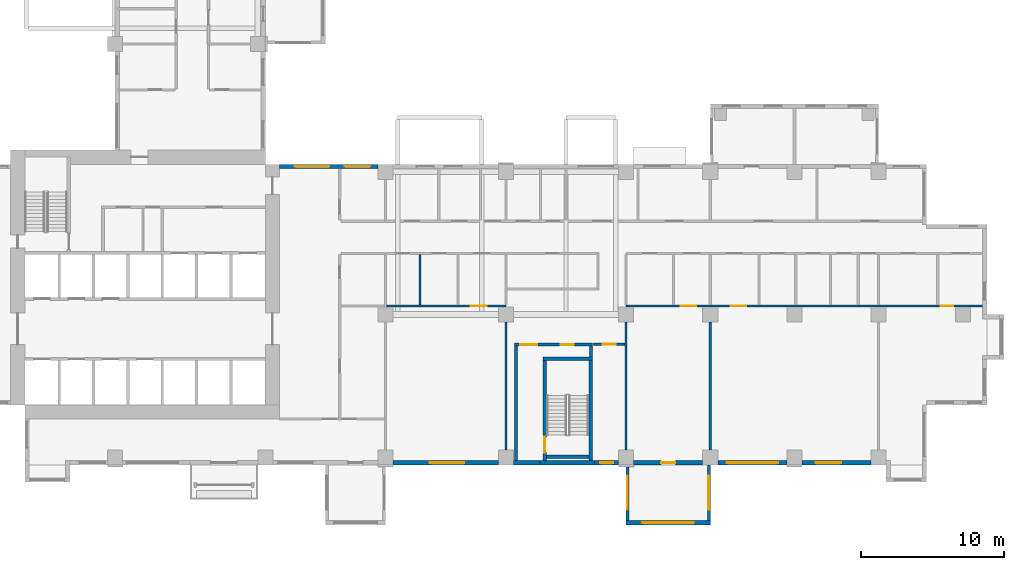
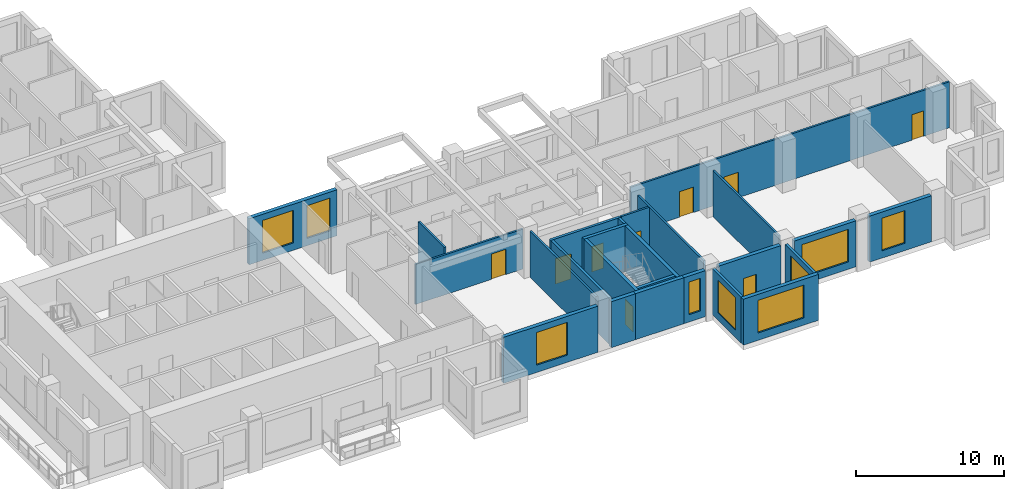
# One storey, part 4 of 14: 25 walls, 9 doors, 9 windows, 18 openings.
"""IFC4 building model written with IfcOpenShell, lengths in metres."""

import ifcopenshell
import ifcopenshell.guid

model = None  # the IFC model being written
_history = None  # IfcOwnerHistory: only IFC2X3 demands one
_inside = {}  # id of a spatial element -> (the spatial element, [elements in it])
_under = {}  # id of a project, library or spatial element -> (it, [spatial elements below it])
_declared = {}  # id of a project -> (the project, [libraries it declares])
_typed = {}  # id of a type object -> (the type object, [elements of that type])
_made_of = {}  # id of a material, layer set ... -> (it, [elements and type objects made of it])


def new_model(schema):
    """Start an empty IFC model of exactly this schema.

    Asked for "IFC4X3", IfcOpenShell would pick the latest addendum, in which some entities
    have other attributes; the version numbers below select the first issue.
    IFC2X3 requires an IfcOwnerHistory on every rooted entity: one is made here for all.
    """
    global model, _history
    if schema == "IFC4X3":
        model = ifcopenshell.file(schema_version=(4, 3, 0, 0))
    else:
        model = ifcopenshell.file(schema=schema)
    _inside.clear()
    _under.clear()
    _declared.clear()
    _typed.clear()
    _made_of.clear()
    _history = None
    if model.schema == "IFC2X3":
        org = make("IfcOrganization", Name="unknown")
        user = make(
            "IfcPersonAndOrganization",
            ThePerson=make("IfcPerson", FamilyName="unknown"),
            TheOrganization=org,
        )
        app = make(
            "IfcApplication",
            ApplicationDeveloper=org,
            Version="unknown",
            ApplicationFullName="unknown",
            ApplicationIdentifier="unknown",
        )
        _history = make(
            "IfcOwnerHistory",
            OwningUser=user,
            OwningApplication=app,
            ChangeAction="ADDED",
            CreationDate=0,
        )
    return model


def make(cls, **values):
    """One entity of the class cls with the attributes given. An attribute that is None is left unset."""
    return model.create_entity(
        cls, **{name: value for name, value in values.items() if value is not None}
    )


def rooted(cls, **values):
    """An entity with a GlobalId (a new one), such as an element, a storey or a relation."""
    return make(cls, GlobalId=ifcopenshell.guid.new(), OwnerHistory=_history, **values)


def si_unit(unit_type, name, prefix=None):
    """IfcSIUnit, for example si_unit("LENGTHUNIT", "METRE", prefix="MILLI")."""
    return make("IfcSIUnit", UnitType=unit_type, Prefix=prefix, Name=name)


def assignment(units):
    """IfcUnitAssignment: the units of a project."""
    return None if units is None else make("IfcUnitAssignment", Units=units)


def point(xyz):
    """IfcCartesianPoint."""
    return None if xyz is None else make("IfcCartesianPoint", Coordinates=xyz)


def direction(xyz):
    """IfcDirection."""
    return None if xyz is None else make("IfcDirection", DirectionRatios=xyz)


def frame(location, z_axis=None, x_axis=None):
    """IfcAxis2Placement3D, a coordinate frame: its origin and axes. An axis left out is left unset."""
    return make(
        "IfcAxis2Placement3D",
        Location=point(location),
        Axis=direction(z_axis),
        RefDirection=direction(x_axis),
    )


def frame_2d(location, x_axis=None):
    """IfcAxis2Placement2D, a coordinate frame in the plane: its origin and x axis."""
    return make(
        "IfcAxis2Placement2D", Location=point(location), RefDirection=direction(x_axis)
    )


def origin():
    """The frame at (0, 0, 0) with its axes left unset."""
    return frame((0.0, 0.0, 0.0))


def place(relative_to, where):
    """IfcLocalPlacement: puts the frame where relative to a parent placement (None: the world)."""
    return make(
        "IfcLocalPlacement", PlacementRelTo=relative_to, RelativePlacement=where
    )


def context(
    kind, dimensions, precision=None, world=None, true_north=None, identifier=None
):
    """IfcGeometricRepresentationContext, for example the 3D "Model" context."""
    return make(
        "IfcGeometricRepresentationContext",
        ContextIdentifier=identifier,
        ContextType=kind,
        CoordinateSpaceDimension=dimensions,
        Precision=precision,
        WorldCoordinateSystem=world,
        TrueNorth=true_north,
    )


def subcontext(parent, identifier, kind, view, scale=None):
    """IfcGeometricRepresentationSubContext, for example "Body" below "Model"."""
    return make(
        "IfcGeometricRepresentationSubContext",
        ContextIdentifier=identifier,
        ContextType=kind,
        ParentContext=parent,
        TargetScale=scale,
        TargetView=view,
    )


def project(units=None, contexts=None):
    """IfcProject with its units and contexts."""
    return rooted(
        "IfcProject",
        Name="project",
        RepresentationContexts=contexts,
        UnitsInContext=assignment(units),
    )


def spatial(cls, under=None, at=None, **own):
    """A site, building, storey or space (cls), placed at a placement, below another one or the project."""
    s = rooted(cls, ObjectPlacement=at, **own)
    if under is not None:
        _under.setdefault(under.id(), (under, []))[1].append(s)
    return s


def profile(cls, at=None, kind="AREA", **sizes):
    """A parametric profile (cls). Its sizes go by their IFC names, for example OverallWidth=200.0."""
    return make(cls, ProfileType=kind, Position=at, **sizes)


def rectangle(**sizes):
    """IfcRectangleProfileDef."""
    return profile("IfcRectangleProfileDef", **sizes)


def extrude(swept, where, along, depth):
    """IfcExtrudedAreaSolid: the profile swept, set in the frame where, extruded along a direction by depth."""
    return make(
        "IfcExtrudedAreaSolid",
        SweptArea=swept,
        Position=where,
        ExtrudedDirection=direction(along),
        Depth=depth,
    )


def shape(context_of_items, identifier, shape_type, items):
    """IfcShapeRepresentation: the items that make up one representation, for example the "Body"."""
    return make(
        "IfcShapeRepresentation",
        ContextOfItems=context_of_items,
        RepresentationIdentifier=identifier,
        RepresentationType=shape_type,
        Items=items,
    )


def source(mapping_origin, context_of_items, identifier, shape_type, items):
    """IfcRepresentationMap: a shape defined once, which mapped items show again and again."""
    return make(
        "IfcRepresentationMap",
        MappingOrigin=mapping_origin,
        MappedRepresentation=shape(context_of_items, identifier, shape_type, items),
    )


def transform(
    local_origin,
    x_axis=None,
    y_axis=None,
    z_axis=None,
    scale=None,
    scale2=None,
    scale3=None,
    uniform=True,
):
    """IfcCartesianTransformationOperator3D, or its non-uniform kind. x_axis, y_axis, z_axis: its Axis1, 2, 3."""
    if uniform:
        return make(
            "IfcCartesianTransformationOperator3D",
            Axis1=direction(x_axis),
            Axis2=direction(y_axis),
            LocalOrigin=point(local_origin),
            Scale=scale,
            Axis3=direction(z_axis),
        )
    return make(
        "IfcCartesianTransformationOperator3DnonUniform",
        Axis1=direction(x_axis),
        Axis2=direction(y_axis),
        LocalOrigin=point(local_origin),
        Scale=scale,
        Axis3=direction(z_axis),
        Scale2=scale2,
        Scale3=scale3,
    )


def mapped(mapping_source, mapping_target):
    """IfcMappedItem: shows the shape of a source again, moved by a transform."""
    return make(
        "IfcMappedItem", MappingSource=mapping_source, MappingTarget=mapping_target
    )


def material(Name=None, Category=None):
    """IfcMaterial."""
    return make("IfcMaterial", Name=Name, Category=Category)


def layer(
    of_material, thickness, ventilated=None, Name=None, Category=None, Priority=None
):
    """IfcMaterialLayer: one layer of a wall or slab, of a material (None: an air gap)."""
    return make(
        "IfcMaterialLayer",
        Material=of_material,
        LayerThickness=thickness,
        IsVentilated=ventilated,
        Name=Name,
        Category=Category,
        Priority=Priority,
    )


def layer_set(layers, Name=None):
    """IfcMaterialLayerSet."""
    return make("IfcMaterialLayerSet", MaterialLayers=layers, LayerSetName=Name)


def made_of(thing, what):
    """Note that an element or type object is made of a material, layer set ...; save() writes the relation."""
    if what is not None:
        _made_of.setdefault(what.id(), (what, []))[1].append(thing)
    return thing


def type_object(cls, material=None, **own):
    """A type object (cls), such as IfcWallType, which elements share."""
    return made_of(rooted(cls, **own), material)


def element(
    cls,
    number,
    at=None,
    inside=None,
    cuts=None,
    type_object=None,
    material=None,
    context=None,
    identifier="Body",
    shape_type=None,
    held_by="IfcProductDefinitionShape",
    body=None,
    shapes=None,
    **own,
):
    """One element of the class cls, such as IfcWall. Its Tag is "e" and its number.

    at: its placement. inside: the storey or other place that contains it. cuts: it is an
    opening in that element (IfcRelVoidsElement). A single representation is given by context,
    identifier, shape_type and body (its items); several are given by shapes. held_by: the class
    of the entity that holds the representations. save() writes the other relations.
    """
    e = rooted(cls, Tag="e%d" % number, ObjectPlacement=at, **own)
    if body is not None:
        shapes = [shape(context, identifier, shape_type, body)]
    if shapes is not None:
        e.Representation = make(held_by, Representations=shapes)
    if inside is not None:
        _inside.setdefault(inside.id(), (inside, []))[1].append(e)
    if cuts is not None:
        rooted(
            "IfcRelVoidsElement", RelatingBuildingElement=cuts, RelatedOpeningElement=e
        )
    if type_object is not None:
        _typed.setdefault(type_object.id(), (type_object, []))[1].append(e)
    return made_of(e, material)


def fill(opening, filler):
    """IfcRelFillsElement: the door or window that sits in an opening."""
    return rooted(
        "IfcRelFillsElement",
        RelatingOpeningElement=opening,
        RelatedBuildingElement=filler,
    )


def aggregate(whole, parts):
    """IfcRelAggregates: a whole, such as a stair, and the parts it consists of."""
    return rooted("IfcRelAggregates", RelatingObject=whole, RelatedObjects=parts)


def save(model, path):
    """Write the relations noted so far, then the file.

    IfcRelAggregates (storeys below a building ...), IfcRelContainedInSpatialStructure (elements
    in a storey), IfcRelDefinesByType, IfcRelAssociatesMaterial and IfcRelDeclares: one each for
    every whole, place, type object, material and project.
    """
    for whole, parts in _under.values():
        aggregate(whole, parts)
    for where, things in _inside.values():
        rooted(
            "IfcRelContainedInSpatialStructure",
            RelatedElements=things,
            RelatingStructure=where,
        )
    for kind, things in _typed.values():
        rooted("IfcRelDefinesByType", RelatedObjects=things, RelatingType=kind)
    for what, things in _made_of.values():
        rooted("IfcRelAssociatesMaterial", RelatedObjects=things, RelatingMaterial=what)
    for by, libraries in _declared.values():
        rooted("IfcRelDeclares", RelatingContext=by, RelatedDefinitions=libraries)
    model.write(path)


model = new_model("IFC4")

# Units and contexts
model_context = context("Model", 3, precision=1e-05, world=origin(), true_north=direction((0.0, 1.0)))
body_context = subcontext(model_context, "Body", "Model", "MODEL_VIEW")
ifc_project = project(units=[si_unit("LENGTHUNIT", "METRE"), si_unit("AREAUNIT", "SQUARE_METRE"), si_unit("VOLUMEUNIT", "CUBIC_METRE"), si_unit("PLANEANGLEUNIT", "RADIAN"), si_unit("MASSUNIT", "GRAM", prefix="KILO")], contexts=[model_context])

# Site, building, storey
site_placement = place(None, origin())
site = spatial("IfcSite", under=ifc_project, at=site_placement, CompositionType="ELEMENT")
building_placement = place(site_placement, origin())
building = spatial("IfcBuilding", under=site, at=building_placement, Name="Aurelian Terraces", CompositionType="ELEMENT")
storey_placement = place(building_placement, frame((0.0, 0.0, 132.9)))
storey = spatial("IfcBuildingStorey", under=building, at=storey_placement, Name="L29", CompositionType="ELEMENT", Elevation=132.9)

# Wall
ifc_material_1 = material(Name="Concrete fc' 40 MPa", Category="concrete")
ifc_layer_1 = layer(ifc_material_1, 0.3)
ifc_layer_set_1 = layer_set([ifc_layer_1], Name="STAIR BAY WALL 300")
wall_type_1 = type_object("IfcWallType", Name="STAIR BAY WALL 300", PredefinedType="SOLIDWALL", material=ifc_layer_set_1)
shared_shape_1 = source(origin(), body_context, "Body", "SweptSolid", [
    extrude(rectangle(XDim=3.8, YDim=0.3, at=frame_2d((1.9, 0.0))), origin(), (0.0, 0.0, 1.0), 3.8),
])
wall_1_placement = place(storey_placement, frame((40.2, 0.15, 0.0), z_axis=(0.0, 0.0, 1.0), x_axis=(1.0, 0.0, 0.0)))
element("IfcWall", 1, at=wall_1_placement, inside=storey, type_object=wall_type_1, Name="Stair bay wall L29 F01.7", PredefinedType="SOLIDWALL", context=body_context, shape_type="MappedRepresentation", body=[
    mapped(shared_shape_1, transform((0.0, 0.0, 0.0), scale=1.0)),
])

# Wall, opening, window
ifc_layer_2 = layer(ifc_material_1, 0.2)
ifc_layer_set_2 = layer_set([ifc_layer_2], Name="BOX BEARING WALL 200")
wall_type_2 = type_object("IfcWallType", Name="BOX BEARING WALL 200", PredefinedType="SOLIDWALL", material=ifc_layer_set_2)
shared_shape_2 = source(origin(), body_context, "Body", "SweptSolid", [
    extrude(rectangle(XDim=3.9, YDim=0.2, at=frame_2d((1.95, 0.0))), origin(), (0.0, 0.0, 1.0), 3.79),
])
wall_2_placement = place(storey_placement, frame((46.3, 0.0, 0.0), z_axis=(0.0, 0.0, 1.0), x_axis=(0.0, -1.0, 0.0)))
wall_2 = element("IfcWall", 2, at=wall_2_placement, inside=storey, type_object=wall_type_2, Name="Box return L29 J40.1", PredefinedType="SOLIDWALL", context=body_context, shape_type="MappedRepresentation", body=[
    mapped(shared_shape_2, transform((0.0, 0.0, 0.0), scale=1.0)),
])
shared_shape_3 = source(origin(), body_context, "Body", "SweptSolid", [
    extrude(rectangle(XDim=2.4, YDim=2.7, at=frame_2d((1.2, 1.35))), frame((0.0, 0.11, 0.0), z_axis=(0.0, -1.0, 0.0), x_axis=(1.0, 0.0, 0.0)), (0.0, 0.0, 1.0), 0.22),
])
opening_1_placement = place(wall_2_placement, frame((0.75, 0.0, 0.6)))
opening_1 = element("IfcOpeningElement", 3, at=opening_1_placement, cuts=wall_2, Name="Opening W2427", PredefinedType="OPENING", context=body_context, shape_type="MappedRepresentation", body=[
    mapped(shared_shape_3, transform((0.0, 0.0, 0.0), scale=1.0)),
])
ifc_material_2 = material(Name="Clear glazing", Category="glass")
window_type_1 = type_object("IfcWindowType", Name="W-2400x2700", PartitioningType="SINGLE_PANEL", PredefinedType="WINDOW", material=ifc_material_2)
shared_shape_4 = source(origin(), body_context, "Body", "SweptSolid", [
    extrude(rectangle(XDim=2.4, YDim=2.7, at=frame_2d((1.2, 1.35))), frame((0.0, 0.03, 0.0), z_axis=(0.0, -1.0, 0.0), x_axis=(1.0, 0.0, 0.0)), (0.0, 0.0, 1.0), 0.06),
])
window_1_placement = place(opening_1_placement, origin())
window_1 = element("IfcWindow", 4, at=window_1_placement, inside=storey, type_object=window_type_1, Name="Window L29 J40-S1", OverallHeight=2.7, OverallWidth=2.4, PartitioningType="SINGLE_PANEL", PredefinedType="WINDOW", context=body_context, shape_type="MappedRepresentation", body=[
    mapped(shared_shape_4, transform((0.0, 0.0, 0.0), scale=1.0)),
])
fill(opening_1, window_1)

wall_3_placement = place(storey_placement, frame((51.98, 0.0, 0.0), z_axis=(0.0, 0.0, 1.0), x_axis=(0.0, -1.0, 0.0)))
wall_3 = element("IfcWall", 5, at=wall_3_placement, inside=storey, type_object=wall_type_2, Name="Box return L29 J40.2", PredefinedType="SOLIDWALL", context=body_context, shape_type="MappedRepresentation", body=[
    mapped(shared_shape_2, transform((0.0, 0.0, 0.0), scale=1.0)),
])
opening_2_placement = place(wall_3_placement, frame((0.75, 0.0, 0.6)))
opening_2 = element("IfcOpeningElement", 6, at=opening_2_placement, cuts=wall_3, Name="Opening W2427", PredefinedType="OPENING", context=body_context, shape_type="MappedRepresentation", body=[
    mapped(shared_shape_3, transform((0.0, 0.0, 0.0), scale=1.0)),
])
window_2_placement = place(opening_2_placement, origin())
window_2 = element("IfcWindow", 7, at=window_2_placement, inside=storey, type_object=window_type_1, Name="Window L29 J40-S2", OverallHeight=2.7, OverallWidth=2.4, PartitioningType="SINGLE_PANEL", PredefinedType="WINDOW", context=body_context, shape_type="MappedRepresentation", body=[
    mapped(shared_shape_4, transform((0.0, 0.0, 0.0), scale=1.0)),
])
fill(opening_2, window_2)

ifc_layer_3 = layer(ifc_material_1, 0.3)
ifc_layer_set_3 = layer_set([ifc_layer_3], Name="BOX BEARING WALL 300")
wall_type_3 = type_object("IfcWallType", Name="BOX BEARING WALL 300", PredefinedType="SOLIDWALL", material=ifc_layer_set_3)
shared_shape_5 = source(origin(), body_context, "Body", "SweptSolid", [
    extrude(rectangle(XDim=5.88, YDim=0.3, at=frame_2d((2.94, 0.0))), origin(), (0.0, 0.0, 1.0), 3.79),
])
wall_4_placement = place(storey_placement, frame((46.2, -4.05, 0.0), z_axis=(0.0, 0.0, 1.0), x_axis=(1.0, 0.0, 0.0)))
wall_4 = element("IfcWall", 8, at=wall_4_placement, inside=storey, type_object=wall_type_3, Name="Box wall L29 J40", PredefinedType="SOLIDWALL", context=body_context, shape_type="MappedRepresentation", body=[
    mapped(shared_shape_5, transform((0.0, 0.0, 0.0), scale=1.0)),
])
shared_shape_6 = source(origin(), body_context, "Body", "SweptSolid", [
    extrude(rectangle(XDim=3.6, YDim=2.7, at=frame_2d((1.8, 1.35))), frame((0.0, 0.16, 0.0), z_axis=(0.0, -1.0, 0.0), x_axis=(1.0, 0.0, 0.0)), (0.0, 0.0, 1.0), 0.32),
])
opening_3_placement = place(wall_4_placement, frame((1.14, 0.0, 0.6)))
opening_3 = element("IfcOpeningElement", 9, at=opening_3_placement, cuts=wall_4, Name="Opening W3627", PredefinedType="OPENING", context=body_context, shape_type="MappedRepresentation", body=[
    mapped(shared_shape_6, transform((0.0, 0.0, 0.0), scale=1.0)),
])
window_type_2 = type_object("IfcWindowType", Name="W-3600x2700", PartitioningType="SINGLE_PANEL", PredefinedType="WINDOW", material=ifc_material_2)
shared_shape_7 = source(origin(), body_context, "Body", "SweptSolid", [
    extrude(rectangle(XDim=3.6, YDim=2.7, at=frame_2d((1.8, 1.35))), frame((0.0, 0.03, 0.0), z_axis=(0.0, -1.0, 0.0), x_axis=(1.0, 0.0, 0.0)), (0.0, 0.0, 1.0), 0.06),
])
window_3_placement = place(opening_3_placement, origin())
window_3 = element("IfcWindow", 10, at=window_3_placement, inside=storey, type_object=window_type_2, Name="Window L29 J40-F1", OverallHeight=2.7, OverallWidth=3.6, PartitioningType="SINGLE_PANEL", PredefinedType="WINDOW", context=body_context, shape_type="MappedRepresentation", body=[
    mapped(shared_shape_7, transform((0.0, 0.0, 0.0), scale=1.0)),
])
fill(opening_3, window_3)

ifc_material_3 = material(Name="Terracotta rainscreen cladding", Category="masonry")
ifc_layer_4 = layer(ifc_material_3, 0.3)
ifc_layer_set_4 = layer_set([ifc_layer_4], Name="EW-300")
wall_type_4 = type_object("IfcWallType", Name="EW-300", PredefinedType="STANDARD", material=ifc_layer_set_4)
shared_shape_8 = source(origin(), body_context, "Body", "SweptSolid", [
    extrude(rectangle(XDim=7.35, YDim=0.3, at=frame_2d((3.675, 0.0))), origin(), (0.0, 0.0, 1.0), 3.8),
])
wall_5_placement = place(storey_placement, frame((29.925, 0.15, 0.0), z_axis=(0.0, 0.0, 1.0), x_axis=(1.0, 0.0, 0.0)))
wall_5 = element("IfcWall", 11, at=wall_5_placement, inside=storey, type_object=wall_type_4, Name="External wall L29 F01.6", PredefinedType="STANDARD", context=body_context, shape_type="MappedRepresentation", body=[
    mapped(shared_shape_8, transform((0.0, 0.0, 0.0), scale=1.0)),
])
shared_shape_9 = source(origin(), body_context, "Body", "SweptSolid", [
    extrude(rectangle(XDim=2.4, YDim=2.7, at=frame_2d((1.2, 1.35))), frame((0.0, 0.16, 0.0), z_axis=(0.0, -1.0, 0.0), x_axis=(1.0, 0.0, 0.0)), (0.0, 0.0, 1.0), 0.32),
])
opening_4_placement = place(wall_5_placement, frame((2.575, 0.0, 0.6)))
opening_4 = element("IfcOpeningElement", 12, at=opening_4_placement, cuts=wall_5, Name="Opening W2427", PredefinedType="OPENING", context=body_context, shape_type="MappedRepresentation", body=[
    mapped(shared_shape_9, transform((0.0, 0.0, 0.0), scale=1.0)),
])
window_4_placement = place(opening_4_placement, origin())
window_4 = element("IfcWindow", 13, at=window_4_placement, inside=storey, type_object=window_type_1, Name="Window L29 L29-F01-06-P0", OverallHeight=2.7, OverallWidth=2.4, PartitioningType="SINGLE_PANEL", PredefinedType="WINDOW", context=body_context, shape_type="MappedRepresentation", body=[
    mapped(shared_shape_4, transform((0.0, 0.0, 0.0), scale=1.0)),
])
fill(opening_4, window_4)

# Wall, opening, door
shared_shape_10 = source(origin(), body_context, "Body", "SweptSolid", [
    extrude(rectangle(XDim=4.83, YDim=0.3, at=frame_2d((2.415, 0.0))), origin(), (0.0, 0.0, 1.0), 3.8),
])
wall_6_placement = place(storey_placement, frame((46.725, 0.15, 0.0), z_axis=(0.0, 0.0, 1.0), x_axis=(1.0, 0.0, 0.0)))
wall_6 = element("IfcWall", 14, at=wall_6_placement, inside=storey, type_object=wall_type_4, Name="External wall L29 F01.8", PredefinedType="STANDARD", context=body_context, shape_type="MappedRepresentation", body=[
    mapped(shared_shape_10, transform((0.0, 0.0, 0.0), scale=1.0)),
])
shared_shape_11 = source(origin(), body_context, "Body", "SweptSolid", [
    extrude(rectangle(XDim=1.0, YDim=2.1, at=frame_2d((0.5, 1.05))), frame((0.0, 0.16, 0.0), z_axis=(0.0, -1.0, 0.0), x_axis=(1.0, 0.0, 0.0)), (0.0, 0.0, 1.0), 0.32),
])
opening_5_placement = place(wall_6_placement, frame((1.915, 0.0, 0.0)))
opening_5 = element("IfcOpeningElement", 15, at=opening_5_placement, cuts=wall_6, Name="Opening 829002", PredefinedType="OPENING", context=body_context, shape_type="MappedRepresentation", body=[
    mapped(shared_shape_11, transform((0.0, 0.0, 0.0), scale=1.0)),
])
ifc_material_4 = material(Name="Timber door leaf", Category="wood")
door_type_1 = type_object("IfcDoorType", Name="Room door 1000x2100 left", OperationType="SINGLE_SWING_LEFT", PredefinedType="DOOR", material=ifc_material_4)
shared_shape_12 = source(origin(), body_context, "Body", "SweptSolid", [
    extrude(rectangle(XDim=1.0, YDim=2.1, at=frame_2d((0.5, 1.05))), frame((0.0, 0.025, 0.0), z_axis=(0.0, -1.0, 0.0), x_axis=(1.0, 0.0, 0.0)), (0.0, 0.0, 1.0), 0.05),
])
door_1_placement = place(opening_5_placement, origin())
door_1 = element("IfcDoor", 16, at=door_1_placement, inside=storey, type_object=door_type_1, Name="Door 829002", OperationType="SINGLE_SWING_LEFT", OverallHeight=2.1, OverallWidth=1.0, PredefinedType="DOOR", context=body_context, shape_type="MappedRepresentation", body=[
    mapped(shared_shape_12, transform((0.0, 0.0, 0.0), scale=1.0)),
])
fill(opening_5, door_1)

# Wall, opening, window
wall_7_placement = place(storey_placement, frame((52.605, 0.15, 0.0), z_axis=(0.0, 0.0, 1.0), x_axis=(1.0, 0.0, 0.0)))
wall_7 = element("IfcWall", 17, at=wall_7_placement, inside=storey, type_object=wall_type_4, Name="External wall L29 F01.9", PredefinedType="STANDARD", context=body_context, shape_type="MappedRepresentation", body=[
    mapped(shared_shape_10, transform((0.0, 0.0, 0.0), scale=1.0)),
])
opening_6_placement = place(wall_7_placement, frame((0.615, 0.0, 0.6)))
opening_6 = element("IfcOpeningElement", 18, at=opening_6_placement, cuts=wall_7, Name="Opening W3627", PredefinedType="OPENING", context=body_context, shape_type="MappedRepresentation", body=[
    mapped(shared_shape_6, transform((0.0, 0.0, 0.0), scale=1.0)),
])
window_5_placement = place(opening_6_placement, origin())
window_5 = element("IfcWindow", 19, at=window_5_placement, inside=storey, type_object=window_type_2, Name="Window L29 L29-F01-09-0", OverallHeight=2.7, OverallWidth=3.6, PartitioningType="SINGLE_PANEL", PredefinedType="WINDOW", context=body_context, shape_type="MappedRepresentation", body=[
    mapped(shared_shape_7, transform((0.0, 0.0, 0.0), scale=1.0)),
])
fill(opening_6, window_5)

wall_8_placement = place(storey_placement, frame((58.485, 0.15, 0.0), z_axis=(0.0, 0.0, 1.0), x_axis=(1.0, 0.0, 0.0)))
wall_8 = element("IfcWall", 20, at=wall_8_placement, inside=storey, type_object=wall_type_4, Name="External wall L29 F01.10", PredefinedType="STANDARD", context=body_context, shape_type="MappedRepresentation", body=[
    mapped(shared_shape_10, transform((0.0, 0.0, 0.0), scale=1.0)),
])
shared_shape_13 = source(origin(), body_context, "Body", "SweptSolid", [
    extrude(rectangle(XDim=1.8, YDim=2.7, at=frame_2d((0.9, 1.35))), frame((0.0, 0.16, 0.0), z_axis=(0.0, -1.0, 0.0), x_axis=(1.0, 0.0, 0.0)), (0.0, 0.0, 1.0), 0.32),
])
opening_7_placement = place(wall_8_placement, frame((0.9525, 0.0, 0.6)))
opening_7 = element("IfcOpeningElement", 21, at=opening_7_placement, cuts=wall_8, Name="Opening W1827", PredefinedType="OPENING", context=body_context, shape_type="MappedRepresentation", body=[
    mapped(shared_shape_13, transform((0.0, 0.0, 0.0), scale=1.0)),
])
window_type_3 = type_object("IfcWindowType", Name="W-1800x2700", PartitioningType="SINGLE_PANEL", PredefinedType="WINDOW", material=ifc_material_2)
shared_shape_14 = source(origin(), body_context, "Body", "SweptSolid", [
    extrude(rectangle(XDim=1.8, YDim=2.7, at=frame_2d((0.9, 1.35))), frame((0.0, 0.03, 0.0), z_axis=(0.0, -1.0, 0.0), x_axis=(1.0, 0.0, 0.0)), (0.0, 0.0, 1.0), 0.06),
])
window_6_placement = place(opening_7_placement, origin())
window_6 = element("IfcWindow", 22, at=window_6_placement, inside=storey, type_object=window_type_3, Name="Window L29 L29-F01-10-0", OverallHeight=2.7, OverallWidth=1.8, PartitioningType="SINGLE_PANEL", PredefinedType="WINDOW", context=body_context, shape_type="MappedRepresentation", body=[
    mapped(shared_shape_14, transform((0.0, 0.0, 0.0), scale=1.0)),
])
fill(opening_7, window_6)

# Wall, openings, windows
shared_shape_15 = source(origin(), body_context, "Body", "SweptSolid", [
    extrude(rectangle(XDim=6.875, YDim=0.3, at=frame_2d((3.4375, 0.0))), origin(), (0.0, 0.0, 1.0), 3.8),
])
wall_9_placement = place(storey_placement, frame((28.875, 20.85, 0.0), z_axis=(0.0, 0.0, 1.0), x_axis=(-1.0, 0.0, 0.0)))
wall_9 = element("IfcWall", 23, at=wall_9_placement, inside=storey, type_object=wall_type_4, Name="External wall L29 F07.21", PredefinedType="STANDARD", context=body_context, shape_type="MappedRepresentation", body=[
    mapped(shared_shape_15, transform((0.0, 0.0, 0.0), scale=1.0)),
])
opening_8_placement = place(wall_9_placement, frame((0.5375, 0.0, 0.6)))
opening_8 = element("IfcOpeningElement", 24, at=opening_8_placement, cuts=wall_9, Name="Opening W1827", PredefinedType="OPENING", context=body_context, shape_type="MappedRepresentation", body=[
    mapped(shared_shape_13, transform((0.0, 0.0, 0.0), scale=1.0)),
])
opening_9_placement = place(wall_9_placement, frame((3.4062, 0.0, 0.6)))
opening_9 = element("IfcOpeningElement", 25, at=opening_9_placement, cuts=wall_9, Name="Opening W2427", PredefinedType="OPENING", context=body_context, shape_type="MappedRepresentation", body=[
    mapped(shared_shape_9, transform((0.0, 0.0, 0.0), scale=1.0)),
])
window_7_placement = place(opening_9_placement, origin())
window_7 = element("IfcWindow", 26, at=window_7_placement, inside=storey, type_object=window_type_1, Name="Window L29 L29-F07-21-G2-197", OverallHeight=2.7, OverallWidth=2.4, PartitioningType="SINGLE_PANEL", PredefinedType="WINDOW", context=body_context, shape_type="MappedRepresentation", body=[
    mapped(shared_shape_4, transform((0.0, 0.0, 0.0), scale=1.0)),
])
fill(opening_9, window_7)
window_8_placement = place(opening_8_placement, origin())
window_8 = element("IfcWindow", 27, at=window_8_placement, inside=storey, type_object=window_type_3, Name="Window L29 L29-F07-21-3", OverallHeight=2.7, OverallWidth=1.8, PartitioningType="SINGLE_PANEL", PredefinedType="WINDOW", context=body_context, shape_type="MappedRepresentation", body=[
    mapped(shared_shape_14, transform((0.0, 0.0, 0.0), scale=1.0)),
])
fill(opening_8, window_8)

# Wall, opening, window
shared_shape_16 = source(origin(), body_context, "Body", "SweptSolid", [
    extrude(rectangle(XDim=1.675, YDim=0.3, at=frame_2d((0.8375, 0.0))), origin(), (0.0, 0.0, 1.0), 3.8),
])
wall_10_placement = place(storey_placement, frame((44.0, 0.15, 0.0), z_axis=(0.0, 0.0, 1.0), x_axis=(1.0, 0.0, 0.0)))
wall_10 = element("IfcWall", 28, at=wall_10_placement, inside=storey, type_object=wall_type_4, Name="External wall L29 F01.7", PredefinedType="STANDARD", context=body_context, shape_type="MappedRepresentation", body=[
    mapped(shared_shape_16, transform((0.0, 0.0, 0.0), scale=1.0)),
])
shared_shape_17 = source(origin(), body_context, "Body", "SweptSolid", [
    extrude(rectangle(XDim=0.9, YDim=2.7, at=frame_2d((0.45, 1.35))), frame((0.0, 0.16, 0.0), z_axis=(0.0, -1.0, 0.0), x_axis=(1.0, 0.0, 0.0)), (0.0, 0.0, 1.0), 0.32),
])
opening_10_placement = place(wall_10_placement, frame((0.3875, 0.0, 0.6)))
opening_10 = element("IfcOpeningElement", 29, at=opening_10_placement, cuts=wall_10, Name="Opening W0927", PredefinedType="OPENING", context=body_context, shape_type="MappedRepresentation", body=[
    mapped(shared_shape_17, transform((0.0, 0.0, 0.0), scale=1.0)),
])
window_type_4 = type_object("IfcWindowType", Name="W-900x2700", PartitioningType="SINGLE_PANEL", PredefinedType="WINDOW", material=ifc_material_2)
shared_shape_18 = source(origin(), body_context, "Body", "SweptSolid", [
    extrude(rectangle(XDim=0.9, YDim=2.7, at=frame_2d((0.45, 1.35))), frame((0.0, 0.03, 0.0), z_axis=(0.0, -1.0, 0.0), x_axis=(1.0, 0.0, 0.0)), (0.0, 0.0, 1.0), 0.06),
])
window_9_placement = place(opening_10_placement, origin())
window_9 = element("IfcWindow", 30, at=window_9_placement, inside=storey, type_object=window_type_4, Name="Window L29 L29-F01-07-P2", OverallHeight=2.7, OverallWidth=0.9, PartitioningType="SINGLE_PANEL", PredefinedType="WINDOW", context=body_context, shape_type="MappedRepresentation", body=[
    mapped(shared_shape_18, transform((0.0, 0.0, 0.0), scale=1.0)),
])
fill(opening_10, window_9)

# Wall
shared_shape_19 = source(origin(), body_context, "Body", "SweptSolid", [
    extrude(rectangle(XDim=1.875, YDim=0.3, at=frame_2d((0.9375, 0.0))), origin(), (0.0, 0.0, 1.0), 3.8),
])
wall_11_placement = place(storey_placement, frame((38.325, 0.15, 0.0), z_axis=(0.0, 0.0, 1.0), x_axis=(1.0, 0.0, 0.0)))
element("IfcWall", 31, at=wall_11_placement, inside=storey, type_object=wall_type_4, Name="External wall L29 F01.7", PredefinedType="STANDARD", context=body_context, shape_type="MappedRepresentation", body=[
    mapped(shared_shape_19, transform((0.0, 0.0, 0.0), scale=1.0)),
])

# Wall, opening, door
ifc_layer_5 = layer(ifc_material_1, 0.25)
ifc_layer_set_5 = layer_set([ifc_layer_5], Name="Stair enclosure wall 250")
wall_type_5 = type_object("IfcWallType", Name="Stair enclosure wall 250", PredefinedType="SOLIDWALL", material=ifc_layer_set_5)
shared_shape_20 = source(origin(), body_context, "Body", "SweptSolid", [
    extrude(rectangle(XDim=7.0, YDim=0.25, at=frame_2d((3.5, 0.0))), origin(), (0.0, 0.0, 1.0), 3.8),
])
wall_12_placement = place(storey_placement, frame((40.525, 0.3, 0.0), z_axis=(0.0, 0.0, 1.0), x_axis=(0.0, 1.0, 0.0)))
wall_12 = element("IfcWall", 32, at=wall_12_placement, inside=storey, type_object=wall_type_5, Name="L29 core wall ST-S2-W", PredefinedType="SOLIDWALL", context=body_context, shape_type="MappedRepresentation", body=[
    mapped(shared_shape_20, transform((0.0, 0.0, 0.0), scale=1.0)),
])
shared_shape_21 = source(origin(), body_context, "Body", "SweptSolid", [
    extrude(rectangle(XDim=1.1, YDim=2.1, at=frame_2d((0.55, 1.05))), frame((0.0, 0.135, 0.0), z_axis=(0.0, -1.0, 0.0), x_axis=(1.0, 0.0, 0.0)), (0.0, 0.0, 1.0), 0.27),
])
opening_11_placement = place(wall_12_placement, frame((0.55, 0.0, 0.0)))
opening_11 = element("IfcOpeningElement", 33, at=opening_11_placement, cuts=wall_12, Name="Opening 63214", PredefinedType="OPENING", context=body_context, shape_type="MappedRepresentation", body=[
    mapped(shared_shape_21, transform((0.0, 0.0, 0.0), scale=1.0)),
])
ifc_material_5 = material(Name="Steel door leaf", Category="steel")
door_type_2 = type_object("IfcDoorType", Name="Core fire door 1100x2100", OperationType="SINGLE_SWING_LEFT", PredefinedType="DOOR", material=ifc_material_5)
shared_shape_22 = source(origin(), body_context, "Body", "SweptSolid", [
    extrude(rectangle(XDim=1.1, YDim=2.1, at=frame_2d((0.55, 1.05))), frame((0.0, 0.025, 0.0), z_axis=(0.0, -1.0, 0.0), x_axis=(1.0, 0.0, 0.0)), (0.0, 0.0, 1.0), 0.05),
])
door_2_placement = place(opening_11_placement, origin())
door_2 = element("IfcDoor", 34, at=door_2_placement, inside=storey, type_object=door_type_2, Name="Stair door 63214", OperationType="SINGLE_SWING_LEFT", OverallHeight=2.1, OverallWidth=1.1, PredefinedType="DOOR", context=body_context, shape_type="MappedRepresentation", body=[
    mapped(shared_shape_22, transform((0.0, 0.0, 0.0), scale=1.0)),
])
fill(opening_11, door_2)

# Walls
wall_13_placement = place(storey_placement, frame((43.725, 0.3, 0.0), z_axis=(0.0, 0.0, 1.0), x_axis=(0.0, 1.0, 0.0)))
element("IfcWall", 35, at=wall_13_placement, inside=storey, type_object=wall_type_5, Name="L29 core wall ST-S2-E", PredefinedType="SOLIDWALL", context=body_context, shape_type="MappedRepresentation", body=[
    mapped(shared_shape_20, transform((0.0, 0.0, 0.0), scale=1.0)),
])
shared_shape_23 = source(origin(), body_context, "Body", "SweptSolid", [
    extrude(rectangle(XDim=3.45, YDim=0.25, at=frame_2d((1.725, 0.0))), origin(), (0.0, 0.0, 1.0), 3.8),
])
wall_14_placement = place(storey_placement, frame((40.4, 7.425, 0.0), z_axis=(0.0, 0.0, 1.0), x_axis=(1.0, 0.0, 0.0)))
element("IfcWall", 36, at=wall_14_placement, inside=storey, type_object=wall_type_5, Name="L29 core wall ST-S2-N", PredefinedType="SOLIDWALL", context=body_context, shape_type="MappedRepresentation", body=[
    mapped(shared_shape_23, transform((0.0, 0.0, 0.0), scale=1.0)),
])
shared_shape_24 = source(origin(), body_context, "Body", "SweptSolid", [
    extrude(rectangle(XDim=2.95, YDim=0.25, at=frame_2d((1.475, 0.0))), origin(), (0.0, 0.0, 1.0), 3.8),
])
wall_15_placement = place(storey_placement, frame((40.65, 0.575, 0.0), z_axis=(0.0, 0.0, 1.0), x_axis=(1.0, 0.0, 0.0)))
element("IfcWall", 37, at=wall_15_placement, inside=storey, type_object=wall_type_5, Name="L29 core wall ST-S2-SS", PredefinedType="SOLIDWALL", context=body_context, shape_type="MappedRepresentation", body=[
    mapped(shared_shape_24, transform((0.0, 0.0, 0.0), scale=1.0)),
])
ifc_material_6 = material(Name="Gypsum board on steel studs", Category="steel")
ifc_layer_6 = layer(ifc_material_6, 0.2)
ifc_layer_set_6 = layer_set([ifc_layer_6], Name="Core partition 200")
wall_type_6 = type_object("IfcWallType", Name="Core partition 200", PredefinedType="PARTITIONING", material=ifc_layer_set_6)
shared_shape_25 = source(origin(), body_context, "Body", "SweptSolid", [
    extrude(rectangle(XDim=8.0, YDim=0.2, at=frame_2d((4.0, 0.0))), origin(), (0.0, 0.0, 1.0), 3.8),
])
wall_16_placement = place(storey_placement, frame((38.5, 0.3, 0.0), z_axis=(0.0, 0.0, 1.0), x_axis=(0.0, 1.0, 0.0)))
element("IfcWall", 38, at=wall_16_placement, inside=storey, type_object=wall_type_6, Name="L29 core wall ST-S2-VW", PredefinedType="PARTITIONING", context=body_context, shape_type="MappedRepresentation", body=[
    mapped(shared_shape_25, transform((0.0, 0.0, 0.0), scale=1.0)),
])

# Wall, openings, doors
shared_shape_26 = source(origin(), body_context, "Body", "SweptSolid", [
    extrude(rectangle(XDim=5.45, YDim=0.2, at=frame_2d((2.725, 0.0))), origin(), (0.0, 0.0, 1.0), 3.8),
])
wall_17_placement = place(storey_placement, frame((38.4, 8.4, 0.0), z_axis=(0.0, 0.0, 1.0), x_axis=(1.0, 0.0, 0.0)))
wall_17 = element("IfcWall", 39, at=wall_17_placement, inside=storey, type_object=wall_type_6, Name="L29 core wall ST-S2-BN", PredefinedType="PARTITIONING", context=body_context, shape_type="MappedRepresentation", body=[
    mapped(shared_shape_26, transform((0.0, 0.0, 0.0), scale=1.0)),
])
shared_shape_27 = source(origin(), body_context, "Body", "SweptSolid", [
    extrude(rectangle(XDim=1.2, YDim=2.1, at=frame_2d((0.6, 1.05))), frame((0.0, 0.11, 0.0), z_axis=(0.0, -1.0, 0.0), x_axis=(1.0, 0.0, 0.0)), (0.0, 0.0, 1.0), 0.22),
])
opening_12_placement = place(wall_17_placement, frame((0.4, 0.0, 0.0)))
opening_12 = element("IfcOpeningElement", 40, at=opening_12_placement, cuts=wall_17, Name="Opening 63215", PredefinedType="OPENING", context=body_context, shape_type="MappedRepresentation", body=[
    mapped(shared_shape_27, transform((0.0, 0.0, 0.0), scale=1.0)),
])
shared_shape_28 = source(origin(), body_context, "Body", "SweptSolid", [
    extrude(rectangle(XDim=0.9, YDim=2.1, at=frame_2d((0.45, 1.05))), frame((0.0, 0.11, 0.0), z_axis=(0.0, -1.0, 0.0), x_axis=(1.0, 0.0, 0.0)), (0.0, 0.0, 1.0), 0.22),
])
opening_13_placement = place(wall_17_placement, frame((3.25, 0.0, 0.0)))
opening_13 = element("IfcOpeningElement", 41, at=opening_13_placement, cuts=wall_17, Name="Opening 63216", PredefinedType="OPENING", context=body_context, shape_type="MappedRepresentation", body=[
    mapped(shared_shape_28, transform((0.0, 0.0, 0.0), scale=1.0)),
])
door_type_3 = type_object("IfcDoorType", Name="Core riser door 900x2100", OperationType="SINGLE_SWING_LEFT", PredefinedType="DOOR", material=ifc_material_5)
shared_shape_29 = source(origin(), body_context, "Body", "SweptSolid", [
    extrude(rectangle(XDim=0.9, YDim=2.1, at=frame_2d((0.45, 1.05))), frame((0.0, 0.025, 0.0), z_axis=(0.0, -1.0, 0.0), x_axis=(1.0, 0.0, 0.0)), (0.0, 0.0, 1.0), 0.05),
])
door_3_placement = place(opening_13_placement, origin())
door_3 = element("IfcDoor", 42, at=door_3_placement, inside=storey, type_object=door_type_3, Name="Riser door 63216", OperationType="SINGLE_SWING_LEFT", OverallHeight=2.1, OverallWidth=0.9, PredefinedType="DOOR", context=body_context, shape_type="MappedRepresentation", body=[
    mapped(shared_shape_29, transform((0.0, 0.0, 0.0), scale=1.0)),
])
fill(opening_13, door_3)
door_type_4 = type_object("IfcDoorType", Name="Core fire door 1200x2100 right", OperationType="SINGLE_SWING_RIGHT", PredefinedType="DOOR", material=ifc_material_5)
shared_shape_30 = source(origin(), body_context, "Body", "SweptSolid", [
    extrude(rectangle(XDim=1.2, YDim=2.1, at=frame_2d((0.6, 1.05))), frame((0.0, 0.025, 0.0), z_axis=(0.0, -1.0, 0.0), x_axis=(1.0, 0.0, 0.0)), (0.0, 0.0, 1.0), 0.05),
])
door_4_placement = place(opening_12_placement, origin())
door_4 = element("IfcDoor", 43, at=door_4_placement, inside=storey, type_object=door_type_4, Name="Vestibule door 63215", OperationType="SINGLE_SWING_RIGHT", OverallHeight=2.1, OverallWidth=1.2, PredefinedType="DOOR", context=body_context, shape_type="MappedRepresentation", body=[
    mapped(shared_shape_30, transform((0.0, 0.0, 0.0), scale=1.0)),
])
fill(opening_12, door_4)

# Wall
shared_shape_31 = source(origin(), body_context, "Body", "SweptSolid", [
    extrude(rectangle(XDim=0.75, YDim=0.2, at=frame_2d((0.375, 0.0))), origin(), (0.0, 0.0, 1.0), 3.8),
])
wall_18_placement = place(storey_placement, frame((43.75, 7.55, 0.0), z_axis=(0.0, 0.0, 1.0), x_axis=(0.0, 1.0, 0.0)))
element("IfcWall", 44, at=wall_18_placement, inside=storey, type_object=wall_type_6, Name="L29 core wall ST-S2-RE", PredefinedType="PARTITIONING", context=body_context, shape_type="MappedRepresentation", body=[
    mapped(shared_shape_31, transform((0.0, 0.0, 0.0), scale=1.0)),
])

# Wall, openings, doors
ifc_layer_7 = layer(ifc_material_6, 0.15)
ifc_layer_set_7 = layer_set([ifc_layer_7], Name="Partition 150")
wall_type_7 = type_object("IfcWallType", Name="Partition 150", PredefinedType="PARTITIONING", material=ifc_layer_set_7)
shared_shape_32 = source(origin(), body_context, "Body", "SweptSolid", [
    extrude(rectangle(XDim=24.9, YDim=0.15, at=frame_2d((12.45, 0.0))), origin(), (0.0, 0.0, 1.0), 3.8),
])
wall_19_placement = place(storey_placement, frame((71.1, 11.1, 0.0), z_axis=(0.0, 0.0, 1.0), x_axis=(-1.0, 0.0, 0.0)))
wall_19 = element("IfcWall", 45, at=wall_19_placement, inside=storey, type_object=wall_type_7, Name="Partition", PredefinedType="PARTITIONING", context=body_context, shape_type="MappedRepresentation", body=[
    mapped(shared_shape_32, transform((0.0, 0.0, 0.0), scale=1.0)),
])
shared_shape_33 = source(origin(), body_context, "Body", "SweptSolid", [
    extrude(rectangle(XDim=1.1, YDim=2.1, at=frame_2d((0.55, 1.05))), frame((0.0, 0.085, 0.0), z_axis=(0.0, -1.0, 0.0), x_axis=(1.0, 0.0, 0.0)), (0.0, 0.0, 1.0), 0.17),
])
opening_14_placement = place(wall_19_placement, frame((19.9884, 0.0, 0.0)))
opening_14 = element("IfcOpeningElement", 46, at=opening_14_placement, cuts=wall_19, Name="Opening 729012", PredefinedType="OPENING", context=body_context, shape_type="MappedRepresentation", body=[
    mapped(shared_shape_33, transform((0.0, 0.0, 0.0), scale=1.0)),
])
opening_15_placement = place(wall_19_placement, frame((16.4972, 0.0, 0.0)))
opening_15 = element("IfcOpeningElement", 47, at=opening_15_placement, cuts=wall_19, Name="Opening 729015", PredefinedType="OPENING", context=body_context, shape_type="MappedRepresentation", body=[
    mapped(shared_shape_33, transform((0.0, 0.0, 0.0), scale=1.0)),
])
shared_shape_34 = source(origin(), body_context, "Body", "SweptSolid", [
    extrude(rectangle(XDim=0.9, YDim=2.1, at=frame_2d((0.45, 1.05))), frame((0.0, 0.085, 0.0), z_axis=(0.0, -1.0, 0.0), x_axis=(1.0, 0.0, 0.0)), (0.0, 0.0, 1.0), 0.17),
])
opening_16_placement = place(wall_19_placement, frame((2.0283, 0.0, 0.0)))
opening_16 = element("IfcOpeningElement", 48, at=opening_16_placement, cuts=wall_19, Name="Opening 729021", PredefinedType="OPENING", context=body_context, shape_type="MappedRepresentation", body=[
    mapped(shared_shape_34, transform((0.0, 0.0, 0.0), scale=1.0)),
])
door_type_5 = type_object("IfcDoorType", Name="Room door 900x2100 left", OperationType="SINGLE_SWING_LEFT", PredefinedType="DOOR", material=ifc_material_4)
door_5_placement = place(opening_16_placement, origin())
door_5 = element("IfcDoor", 49, at=door_5_placement, inside=storey, type_object=door_type_5, Name="Door 729021", OperationType="SINGLE_SWING_LEFT", OverallHeight=2.1, OverallWidth=0.9, PredefinedType="DOOR", context=body_context, shape_type="MappedRepresentation", body=[
    mapped(shared_shape_29, transform((0.0, 0.0, 0.0), scale=1.0)),
])
fill(opening_16, door_5)
door_type_6 = type_object("IfcDoorType", Name="Room door 1100x2100 left", OperationType="SINGLE_SWING_LEFT", PredefinedType="DOOR", material=ifc_material_4)
door_6_placement = place(opening_14_placement, origin())
door_6 = element("IfcDoor", 50, at=door_6_placement, inside=storey, type_object=door_type_6, Name="Door 729012", OperationType="SINGLE_SWING_LEFT", OverallHeight=2.1, OverallWidth=1.1, PredefinedType="DOOR", context=body_context, shape_type="MappedRepresentation", body=[
    mapped(shared_shape_22, transform((0.0, 0.0, 0.0), scale=1.0)),
])
fill(opening_14, door_6)
door_7_placement = place(opening_15_placement, origin())
door_7 = element("IfcDoor", 51, at=door_7_placement, inside=storey, type_object=door_type_6, Name="Door 729015", OperationType="SINGLE_SWING_LEFT", OverallHeight=2.1, OverallWidth=1.1, PredefinedType="DOOR", context=body_context, shape_type="MappedRepresentation", body=[
    mapped(shared_shape_22, transform((0.0, 0.0, 0.0), scale=1.0)),
])
fill(opening_15, door_7)

# Wall, opening, door
shared_shape_35 = source(origin(), body_context, "Body", "SweptSolid", [
    extrude(rectangle(XDim=2.2, YDim=0.15, at=frame_2d((1.1, 0.0))), origin(), (0.0, 0.0, 1.0), 3.8),
])
wall_20_placement = place(storey_placement, frame((46.125, 8.425, 0.0), z_axis=(0.0, 0.0, 1.0), x_axis=(-1.0, 0.0, 0.0)))
wall_20 = element("IfcWall", 52, at=wall_20_placement, inside=storey, type_object=wall_type_7, Name="Partition", PredefinedType="PARTITIONING", context=body_context, shape_type="MappedRepresentation", body=[
    mapped(shared_shape_35, transform((0.0, 0.0, 0.0), scale=1.0)),
])
opening_17_placement = place(wall_20_placement, frame((0.65, 0.0, 0.0)))
opening_17 = element("IfcOpeningElement", 53, at=opening_17_placement, cuts=wall_20, Name="Opening 729006", PredefinedType="OPENING", context=body_context, shape_type="MappedRepresentation", body=[
    mapped(shared_shape_34, transform((0.0, 0.0, 0.0), scale=1.0)),
])
door_8_placement = place(opening_17_placement, origin())
door_8 = element("IfcDoor", 54, at=door_8_placement, inside=storey, type_object=door_type_5, Name="Door 729006", OperationType="SINGLE_SWING_LEFT", OverallHeight=2.1, OverallWidth=0.9, PredefinedType="DOOR", context=body_context, shape_type="MappedRepresentation", body=[
    mapped(shared_shape_29, transform((0.0, 0.0, 0.0), scale=1.0)),
])
fill(opening_17, door_8)

shared_shape_36 = source(origin(), body_context, "Body", "SweptSolid", [
    extrude(rectangle(XDim=8.4, YDim=0.15, at=frame_2d((4.2, 0.0))), origin(), (0.0, 0.0, 1.0), 3.3),
])
wall_21_placement = place(storey_placement, frame((37.8, 11.1, 0.0), z_axis=(0.0, 0.0, 1.0), x_axis=(-1.0, 0.0, 0.0)))
wall_21 = element("IfcWall", 55, at=wall_21_placement, inside=storey, type_object=wall_type_7, Name="Partition", PredefinedType="PARTITIONING", context=body_context, shape_type="MappedRepresentation", body=[
    mapped(shared_shape_36, transform((0.0, 0.0, 0.0), scale=1.0)),
])
opening_18_placement = place(wall_21_placement, frame((1.3453, 0.0, 0.0)))
opening_18 = element("IfcOpeningElement", 56, at=opening_18_placement, cuts=wall_21, Name="Opening 729008", PredefinedType="OPENING", context=body_context, shape_type="MappedRepresentation", body=[
    mapped(shared_shape_33, transform((0.0, 0.0, 0.0), scale=1.0)),
])
door_9_placement = place(opening_18_placement, origin())
door_9 = element("IfcDoor", 57, at=door_9_placement, inside=storey, type_object=door_type_6, Name="Door 729008", OperationType="SINGLE_SWING_LEFT", OverallHeight=2.1, OverallWidth=1.1, PredefinedType="DOOR", context=body_context, shape_type="MappedRepresentation", body=[
    mapped(shared_shape_22, transform((0.0, 0.0, 0.0), scale=1.0)),
])
fill(opening_18, door_9)

# Walls
shared_shape_37 = source(origin(), body_context, "Body", "SweptSolid", [
    extrude(rectangle(XDim=8.927, YDim=0.15, at=frame_2d((4.4635, 0.0))), origin(), (0.0, 0.0, 1.0), 3.8),
])
for number, where, z_axis, x_axis, name in (
    (58, (37.8, 1.049, 0.0), (0.0, 0.0, 1.0), (0.0, 1.0, 0.0), "Partition"),
    (59, (46.2, 1.049, 0.0), (0.0, 0.0, 1.0), (0.0, 1.0, 0.0), "Partition"),
    (60, (52.08, 1.049, 0.0), (0.0, 0.0, 1.0), (0.0, 1.0, 0.0), "Partition"),
):
    element("IfcWall", number, at=place(storey_placement, frame(where, z_axis=z_axis, x_axis=x_axis)), inside=storey, type_object=wall_type_7, Name=name, PredefinedType="PARTITIONING", context=body_context, shape_type="MappedRepresentation", body=[
        mapped(shared_shape_37, transform((0.0, 0.0, 0.0), scale=1.0)),
    ])
shared_shape_38 = source(origin(), body_context, "Body", "SweptSolid", [
    extrude(rectangle(XDim=3.525, YDim=0.15, at=frame_2d((1.7625, 0.0))), origin(), (0.0, 0.0, 1.0), 3.8),
])
wall_22_placement = place(storey_placement, frame((31.8123, 11.175, 0.0), z_axis=(0.0, 0.0, 1.0), x_axis=(0.0, 1.0, 0.0)))
element("IfcWall", 61, at=wall_22_placement, inside=storey, type_object=wall_type_7, Name="Partition", PredefinedType="PARTITIONING", context=body_context, shape_type="MappedRepresentation", body=[
    mapped(shared_shape_38, transform((0.0, 0.0, 0.0), scale=1.0)),
])

save(model, "model.ifc")
